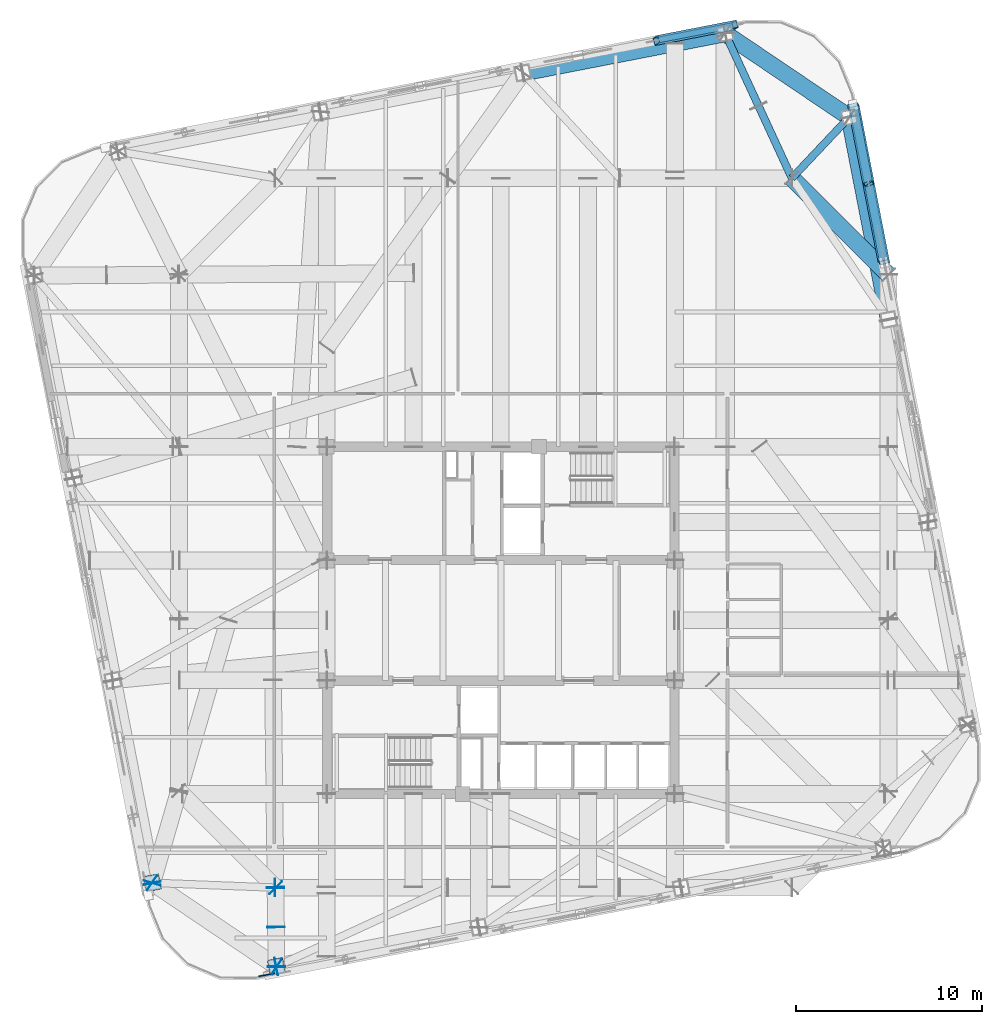
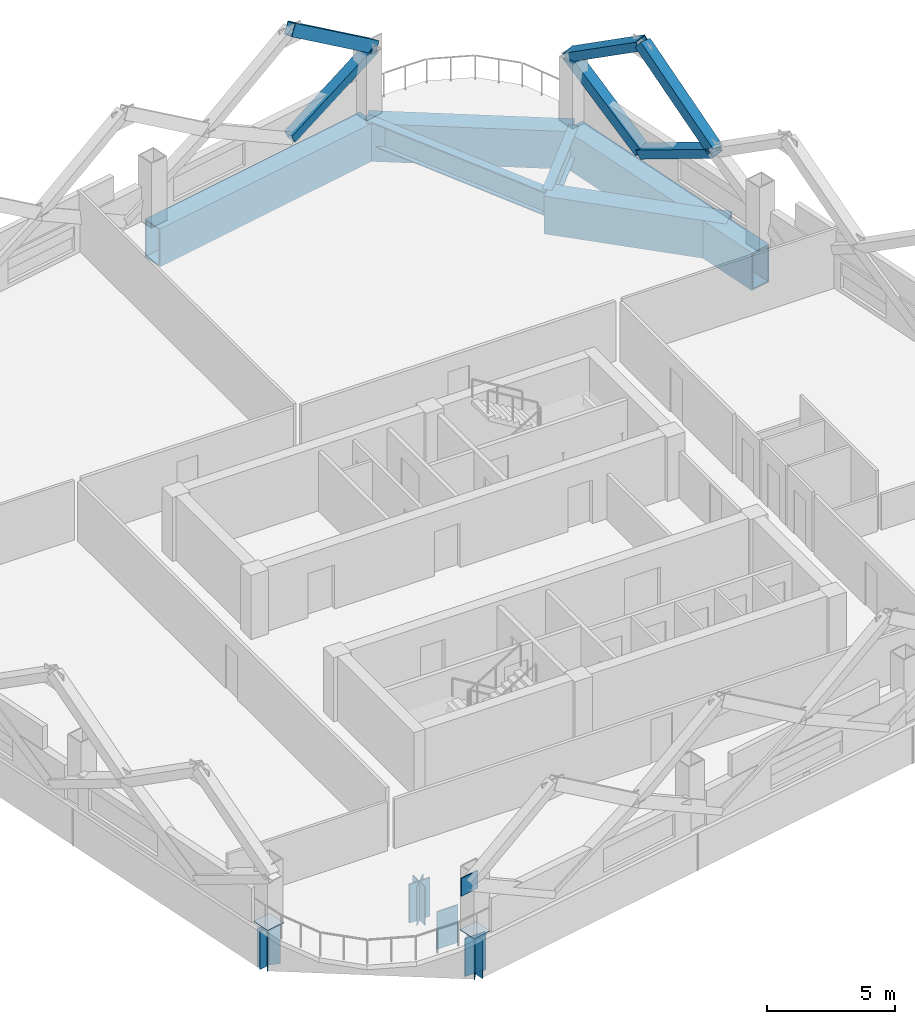
# One storey, part 4 of 14: 15 plates, 6 beams, 6 members.
"""IFC4 building model written with IfcOpenShell, lengths in metres."""

from ifc_helpers import new_model, si_unit, direction, frame, origin, origin_2d, place, context, subcontext, project, spatial, rectangle, hollow_rectangle, i_section, extrude, material, layer, layer_set, material_profile, profile_set, type_object, element, save


model = new_model("IFC4")

# Units and contexts
model_context = context("Model", 3, precision=1e-05, world=origin(), true_north=direction((0.0, 1.0)))
body_context = subcontext(model_context, "Body", "Model", "MODEL_VIEW")
ifc_project = project(units=[si_unit("LENGTHUNIT", "METRE"), si_unit("AREAUNIT", "SQUARE_METRE"), si_unit("VOLUMEUNIT", "CUBIC_METRE"), si_unit("PLANEANGLEUNIT", "RADIAN"), si_unit("MASSUNIT", "GRAM", prefix="KILO")], contexts=[model_context])

# Site, building, storey
site_placement = place(None, origin())
site = spatial("IfcSite", under=ifc_project, at=site_placement, CompositionType="ELEMENT")
building_placement = place(site_placement, origin())
building = spatial("IfcBuilding", under=site, at=building_placement, Name="Qhalaya Broadcast Tower", CompositionType="ELEMENT")
storey_placement = place(building_placement, frame((0.0, 0.0, 112.800048828125)))
storey = spatial("IfcBuildingStorey", under=building, at=storey_placement, Name="L32", CompositionType="ELEMENT", Elevation=112.800048828125)

# Beams
ifc_material_1 = material(Name="Structural Steel ASTM A572 Grade 50", Category="steel")
ifc_material_profile_1 = material_profile(ifc_material_1, hollow_rectangle(XDim=0.89990234375, YDim=1.800048828125, WallThickness=0.06005859375, at=origin_2d()), Name="BOX 900x1800x60")
ifc_profile_set_1 = profile_set([ifc_material_profile_1], Name="Structural Steel ASTM A572 Grade 50")
beam_type_1 = type_object("IfcBeamType", Name="Block Cantilever Transfer Box Girder TG1", PredefinedType="USERDEFINED", material=ifc_profile_set_1)
beam_1_placement = place(storey_placement, frame((20.88037109375, 16.79248046875, -1.1201171875), z_axis=(-0.190800781233, 0.98162878008, 0.0), x_axis=(-0.98162878008, -0.190800781233, 0.0)))
element("IfcBeam", 1, at=beam_1_placement, inside=storey, type_object=beam_type_1, Name="L32 TG1 L32-SPR-07", ObjectType="GIRDER", PredefinedType="USERDEFINED", context=body_context, shape_type="SweptSolid", body=[
    extrude(hollow_rectangle(XDim=0.89990234375, YDim=1.800048828125, WallThickness=0.06005859375, at=origin_2d()), origin(), (0.0, 0.0, 1.0), 11.10009765625),
])
beam_2_placement = place(storey_placement, frame((18.762451171875, 27.688720703125, -1.1201171875), z_axis=(-0.829042088473, 0.559186208288, 0.0), x_axis=(-0.559186208288, -0.829042088473, 0.0)))
element("IfcBeam", 2, at=beam_2_placement, inside=storey, type_object=beam_type_1, Name="L32 TG1 L32-SPR-08", ObjectType="GIRDER", PredefinedType="USERDEFINED", context=body_context, shape_type="SweptSolid", body=[
    extrude(hollow_rectangle(XDim=0.89990234375, YDim=1.800048828125, WallThickness=0.06005859375, at=origin_2d()), origin(), (0.0, 0.0, 1.0), 8.06103515625),
])
beam_3_placement = place(storey_placement, frame((12.07958984375, 32.1962890625, -1.1201171875), z_axis=(-0.98162878008, -0.190800781233, 0.0), x_axis=(0.190800781233, -0.98162878008, 0.0)))
element("IfcBeam", 3, at=beam_3_placement, inside=storey, type_object=beam_type_1, Name="L32 TG1 L32-SPR-09", ObjectType="GIRDER", PredefinedType="USERDEFINED", context=body_context, shape_type="SweptSolid", body=[
    extrude(hollow_rectangle(XDim=0.89990234375, YDim=1.800048828125, WallThickness=0.06005859375, at=origin_2d()), origin(), (0.0, 0.0, 1.0), 11.10009765625),
])
beam_4_placement = place(storey_placement, frame((20.8701171875, 19.2099609375, -1.1201171875), z_axis=(-0.707123380132, 0.707090181851, 0.0), x_axis=(-0.707090181851, -0.707123380132, 0.0)))
element("IfcBeam", 4, at=beam_4_placement, inside=storey, type_object=beam_type_1, Name="L32 TG1 L32-TGL-08", ObjectType="GIRDER", PredefinedType="USERDEFINED", context=body_context, shape_type="SweptSolid", body=[
    extrude(hollow_rectangle(XDim=0.89990234375, YDim=1.800048828125, WallThickness=0.06005859375, at=origin_2d()), origin(), (0.0, 0.0, 1.0), 7.35400390625),
])

# Members
ifc_material_profile_2 = material_profile(ifc_material_1, hollow_rectangle(XDim=0.419921875, YDim=0.550048828125, WallThickness=0.028076171875, at=origin_2d()), Name="BOX 420x550x28")
ifc_profile_set_2 = profile_set([ifc_material_profile_2], Name="Structural Steel ASTM A572 Grade 50")
member_type = type_object("IfcMemberType", Name="Exoskeleton Diamond Diagonal Mid-Low EX2", PredefinedType="BRACE", material=ifc_profile_set_2)
member_1_placement = place(storey_placement, frame((19.804443359375, 24.109375, 0.35986328125), z_axis=(0.167894981079, -0.863630665056, 0.475345505611), x_axis=(-0.276347513602, 0.421624178814, 0.863634820723)))
element("IfcMember", 5, at=member_1_placement, inside=storey, type_object=member_type, Name="B3 Exoskeleton Diamond Brace E4-D1", PredefinedType="BRACE", context=body_context, shape_type="SweptSolid", body=[
    extrude(hollow_rectangle(XDim=0.419921875, YDim=0.550048828125, WallThickness=0.028076171875, at=origin_2d()), origin(), (0.0, 0.0, 1.0), 4.90185546875),
])
member_2_placement = place(storey_placement, frame((19.804443359375, 24.109375, 0.35986328125), z_axis=(-0.167853798825, 0.86362522784, 0.475369927591), x_axis=(0.276333211151, -0.421660083323, 0.863621867803)))
element("IfcMember", 6, at=member_2_placement, inside=storey, type_object=member_type, Name="B3 Exoskeleton Diamond Brace E4-D2", PredefinedType="BRACE", context=body_context, shape_type="SweptSolid", body=[
    extrude(hollow_rectangle(XDim=0.419921875, YDim=0.550048828125, WallThickness=0.028076171875, at=origin_2d()), origin(), (0.0, 0.0, 1.0), 4.901611328125),
])
member_3_placement = place(storey_placement, frame((20.62744140625, 19.8759765625, 2.68994140625), z_axis=(-0.159887098587, 0.822439124739, 0.545921241393), x_axis=(0.289568264946, -0.489630060841, 0.822443082199)))
element("IfcMember", 7, at=member_3_placement, inside=storey, type_object=member_type, Name="B3 Exoskeleton Diamond Brace E4-D3", PredefinedType="BRACE", context=body_context, shape_type="SweptSolid", body=[
    extrude(hollow_rectangle(XDim=0.419921875, YDim=0.550048828125, WallThickness=0.028076171875, at=origin_2d()), origin(), (0.0, 0.0, 1.0), 5.1474609375),
])
member_4_placement = place(storey_placement, frame((18.981689453125, 28.342529296875, 2.68994140625), z_axis=(0.159847115813, -0.822430012189, 0.545946677449), x_axis=(-0.289551107794, 0.489667534331, 0.822426812426)))
element("IfcMember", 8, at=member_4_placement, inside=storey, type_object=member_type, Name="B3 Exoskeleton Diamond Brace E4-D4", PredefinedType="BRACE", context=body_context, shape_type="SweptSolid", body=[
    extrude(hollow_rectangle(XDim=0.419921875, YDim=0.550048828125, WallThickness=0.028076171875, at=origin_2d()), origin(), (0.0, 0.0, 1.0), 5.147216796875),
])
member_5_placement = place(storey_placement, frame((8.370361328125, 31.82177734375, 0.35986328125), z_axis=(0.86362522784, 0.167853798825, 0.475369927591), x_axis=(-0.276322709835, 0.946290155626, 0.167871085642)))
element("IfcMember", 9, at=member_5_placement, inside=storey, type_object=member_type, Name="B3 Exoskeleton Diamond Brace N1-D1", PredefinedType="BRACE", context=body_context, shape_type="SweptSolid", body=[
    extrude(hollow_rectangle(XDim=0.419921875, YDim=0.550048828125, WallThickness=0.028076171875, at=origin_2d()), origin(), (0.0, 0.0, 1.0), 4.901611328125),
])
member_6_placement = place(storey_placement, frame((12.603515625, 32.64453125, 2.68994140625), z_axis=(-0.822430012189, -0.159847115813, 0.545946677449), x_axis=(0.289542019185, -0.943720856791, 0.159863578043)))
element("IfcMember", 10, at=member_6_placement, inside=storey, type_object=member_type, Name="B3 Exoskeleton Diamond Brace N1-D3", PredefinedType="BRACE", context=body_context, shape_type="SweptSolid", body=[
    extrude(hollow_rectangle(XDim=0.419921875, YDim=0.550048828125, WallThickness=0.028076171875, at=origin_2d()), origin(), (0.0, 0.0, 1.0), 5.147216796875),
])

# Beams
ifc_material_2 = material(Name="Structural Steel ASTM A992 Grade 50", Category="steel")
ifc_material_profile_3 = material_profile(ifc_material_2, i_section(OverallWidth=0.404052734375, OverallDepth=1.117919921875, WebThickness=0.026123046875, FlangeThickness=0.044921875, at=origin_2d()), Name="W44X335")
ifc_profile_set_3 = profile_set([ifc_material_profile_3], Name="Structural Steel ASTM A992 Grade 50")
beam_type_2 = type_object("IfcBeamType", Name="Podium Long-Span Primary Girder PG1", PredefinedType="USERDEFINED", material=ifc_profile_set_3)
beam_5_placement = place(storey_placement, frame((15.669921875, 24.409912109375, -0.779052734375), z_axis=(0.686139849918, 0.727469660093, 0.0), x_axis=(-0.727469660093, 0.686139849918, 0.0)))
element("IfcBeam", 11, at=beam_5_placement, inside=storey, type_object=beam_type_2, Name="L32 Column-to-Column Moment Tie Girder 08-1", ObjectType="GIRDER", PredefinedType="USERDEFINED", context=body_context, shape_type="SweptSolid", body=[
    extrude(i_section(OverallWidth=0.404052734375, OverallDepth=1.117919921875, WebThickness=0.026123046875, FlangeThickness=0.044921875, at=origin_2d()), origin(), (0.0, 0.0, 1.0), 4.507080078125),
])
beam_6_placement = place(storey_placement, frame((15.669921875, 24.409912109375, -0.779052734375), z_axis=(-0.418733134597, 0.908109333721, 0.0), x_axis=(-0.908109333721, -0.418733134597, 0.0)))
element("IfcBeam", 12, at=beam_6_placement, inside=storey, type_object=beam_type_2, Name="L32 Column-to-Column Moment Tie Girder 09-1", ObjectType="GIRDER", PredefinedType="USERDEFINED", context=body_context, shape_type="SweptSolid", body=[
    extrude(i_section(OverallWidth=0.404052734375, OverallDepth=1.117919921875, WebThickness=0.026123046875, FlangeThickness=0.044921875, at=origin_2d()), origin(), (0.0, 0.0, 1.0), 8.57421875),
])

# Plates
ifc_layer_1 = layer(ifc_material_1, 0.054931640625, Name="Structural Steel ASTM A572 Grade 50")
ifc_layer_set_1 = layer_set([ifc_layer_1], Name="Structural Steel ASTM A572 Grade 50")
plate_type_1 = type_object("IfcPlateType", Name="Exoskeleton Diamond Node Gusset Plate NP-01", PredefinedType="USERDEFINED", material=ifc_layer_set_1)
plate_1_placement = place(storey_placement, frame((-12.603515625, -18.484619140625, 2.264892578125), z_axis=(0.0, 0.0, 1.0), x_axis=(0.981627183448, 0.190808995377, 0.0)))
element("IfcPlate", 13, at=plate_1_placement, inside=storey, type_object=plate_type_1, Name="Exoskeleton Diamond Node B3-S1-MDL", ObjectType="GUSSET_PLATE", PredefinedType="USERDEFINED", context=body_context, shape_type="SweptSolid", body=[
    extrude(rectangle(XDim=0.85009765625, YDim=0.054931640625, at=origin_2d()), origin(), (0.0, 0.0, 1.0), 0.85009765625),
])
ifc_layer_2 = layer(ifc_material_1, 0.4599609375, Name="Structural Steel ASTM A572 Grade 50")
ifc_layer_set_2 = layer_set([ifc_layer_2], Name="Structural Steel ASTM A572 Grade 50")
plate_type_2 = type_object("IfcPlateType", Name="Hollow Box Member End Cap Plate CP-01", PredefinedType="USERDEFINED", material=ifc_layer_set_2)
for number, where, z_axis, x_axis, name in (
    (14, (-12.09521484375, -18.039306640625, -2.0400390625), (0.0, 0.0, 1.0), (-0.190808995377, 0.981627183448, 0.0), "L32 Hollow Girder End Cap L32-SPR-01-A"),
    (15, (-18.75927734375, -13.54443359375, -2.0400390625), (0.0, 0.0, 1.0), (0.981627183448, 0.190808995377, 0.0), "L32 Hollow Girder End Cap L32-SPR-15-B"),
    (16, (-18.775634765625, -13.519775390625, -2.0400390625), (0.0, 0.0, 1.0), (0.559192903471, 0.829037572555, 0.0), "L32 Hollow Girder End Cap L32-SPR-16-A"),
    (17, (-12.066162109375, -18.045166015625, -2.0400390625), (0.0, 0.0, 1.0), (0.559192903471, 0.829037572555, 0.0), "L32 Hollow Girder End Cap L32-SPR-16-B"),
    (18, (-12.14599609375, -13.7900390625, -2.0400390625), (0.0, 0.0, 1.0), (0.0, 1.0, 0.0), "L32 Hollow Girder End Cap L32-TGL-01-A"),
    (19, (-12.11865234375, -13.80126953125, -2.0400390625), (0.0, 0.0, 1.0), (0.707106781187, 0.707106781187, 0.0), "L32 Hollow Girder End Cap L32-TGL-16-B"),
    (20, (-12.1298828125, -13.805908203125, -2.0400390625), (0.0, 0.0, 1.0), (0.999929365992, 0.01188541236, 0.0), "L32 Hollow Girder End Cap L32-TGA-01-B"),
    (21, (-12.130126953125, -13.77392578125, -2.0400390625), (0.0, 0.0, 1.0), (0.999929365992, 0.01188541236, 0.0), "L32 Hollow Girder End Cap L32-TGC-01-A"),
    (22, (-12.079345703125, -18.05224609375, -2.0400390625), (0.0, 0.0, 1.0), (0.999929365992, 0.01188541236, 0.0), "L32 Hollow Girder End Cap L32-TGC-01-B"),
):
    element("IfcPlate", number, at=place(storey_placement, frame(where, z_axis=z_axis, x_axis=x_axis)), inside=storey, type_object=plate_type_2, Name=name, ObjectType="COVER_PLATE", PredefinedType="USERDEFINED", context=body_context, shape_type="SweptSolid", body=[
        extrude(rectangle(XDim=0.93994140625, YDim=0.031982421875, at=origin_2d()), origin(), (0.0, 0.0, 1.0), 1.840087890625),
    ])
plate_2_placement = place(storey_placement, frame((-12.07958984375, -18.036376953125, -2.02001953125), z_axis=(0.0, 0.0, 1.0), x_axis=(0.999929365992, 0.01188541236, 0.0)))
element("IfcPlate", 23, at=plate_2_placement, inside=storey, type_object=plate_type_2, Name="L32 Transfer Box End Cap 01", ObjectType="COVER_PLATE", PredefinedType="USERDEFINED", context=body_context, shape_type="SweptSolid", body=[
    extrude(rectangle(XDim=0.919921875, YDim=0.035888671875, at=origin_2d()), origin(), (0.0, 0.0, 1.0), 1.800048828125),
])
plate_3_placement = place(storey_placement, frame((-18.766845703125, -13.544189453125, -2.0400390625), z_axis=(0.0, 0.0, 1.0), x_axis=(0.960420188948, -0.278555309877, 0.0)))
element("IfcPlate", 24, at=plate_3_placement, inside=storey, type_object=plate_type_2, Name="L32 Hollow Girder End Cap L32-TGC-16-B", ObjectType="COVER_PLATE", PredefinedType="USERDEFINED", context=body_context, shape_type="SweptSolid", body=[
    extrude(rectangle(XDim=0.93994140625, YDim=0.031982421875, at=origin_2d()), origin(), (0.0, 0.0, 1.0), 1.840087890625),
])
for number, where, z_axis, x_axis, name in (
    (25, (-12.07958984375, -18.036376953125, -0.0322265625), (0.0, 0.0, 1.0), (0.981627183448, 0.190808995377, 0.0), "L32 Hollow Box Column Base Cap Plate COL-EX01"),
    (26, (-18.762451171875, -13.52880859375, -0.0322265625), (0.0, 0.0, 1.0), (-0.190808995377, 0.981627183448, 0.0), "L32 Hollow Box Column Base Cap Plate COL-EX16"),
):
    element("IfcPlate", number, at=place(storey_placement, frame(where, z_axis=z_axis, x_axis=x_axis)), inside=storey, type_object=plate_type_2, Name=name, ObjectType="COVER_PLATE", PredefinedType="USERDEFINED", context=body_context, shape_type="SweptSolid", body=[
        extrude(rectangle(XDim=0.840087890625, YDim=0.840087890625, at=origin_2d()), origin(), (0.0, 0.0, 1.0), 0.031982421875),
    ])
ifc_layer_3 = layer(ifc_material_1, 0.044921875, Name="Structural Steel ASTM A572 Grade 50")
ifc_layer_set_3 = layer_set([ifc_layer_3], Name="Structural Steel ASTM A572 Grade 50")
plate_type_3 = type_object("IfcPlateType", Name="Transfer Girder Web Stiffener Plate WS-01", PredefinedType="USERDEFINED", material=ifc_layer_set_3)
plate_4_placement = place(storey_placement, frame((-12.104736328125, -15.9130859375, -2.02001953125), z_axis=(0.0, 0.0, 1.0), x_axis=(0.999929365992, 0.01188541236, 0.0)))
element("IfcPlate", 27, at=plate_4_placement, inside=storey, type_object=plate_type_3, Name="L32 Transfer Girder Stiffener 01", ObjectType="STIFFENER_PLATE", PredefinedType="USERDEFINED", context=body_context, shape_type="SweptSolid", body=[
    extrude(rectangle(XDim=0.93994140625, YDim=0.044921875, at=origin_2d()), origin(), (0.0, 0.0, 1.0), 1.800048828125),
])

save(model, "model.ifc")
